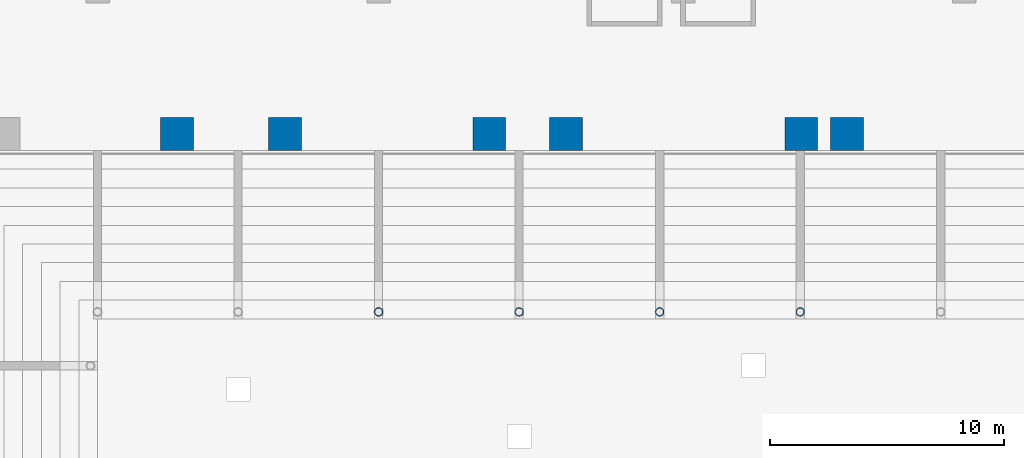
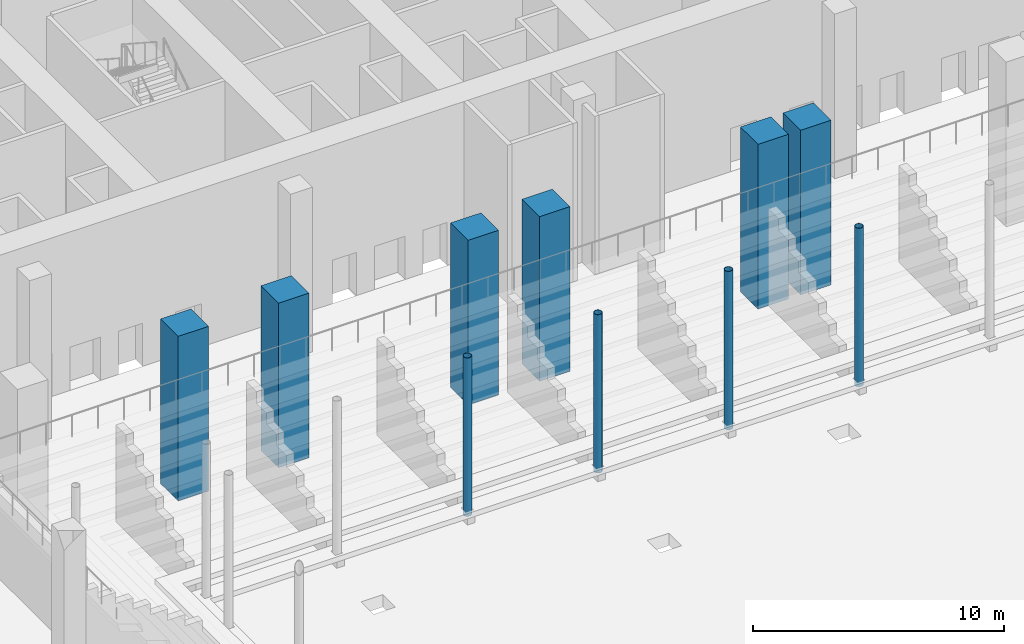
# One storey, part 6 of 41: 10 columns.
"""IFC4 building model written with IfcOpenShell, lengths in metres."""

from ifc_helpers import new_model, si_unit, direction, frame, origin, origin_2d, place, context, subcontext, project, spatial, rectangle, hollow_circle, extrude, material, material_profile, profile_set, type_object, element, save


model = new_model("IFC4")

# Units and contexts
model_context = context("Model", 3, precision=1e-05, world=origin(), true_north=direction((0.0, 1.0)))
body_context = subcontext(model_context, "Body", "Model", "MODEL_VIEW")
ifc_project = project(units=[si_unit("LENGTHUNIT", "METRE"), si_unit("AREAUNIT", "SQUARE_METRE"), si_unit("VOLUMEUNIT", "CUBIC_METRE"), si_unit("PLANEANGLEUNIT", "RADIAN"), si_unit("MASSUNIT", "GRAM", prefix="KILO")], contexts=[model_context])

# Site, building, storey
site_placement = place(None, origin())
site = spatial("IfcSite", under=ifc_project, at=site_placement, CompositionType="ELEMENT")
building_placement = place(site_placement, origin())
building = spatial("IfcBuilding", under=site, at=building_placement, Name="Wharfspan Tower", CompositionType="ELEMENT")
storey_placement = place(building_placement, origin())
storey = spatial("IfcBuildingStorey", under=building, at=storey_placement, Name="L00", CompositionType="ELEMENT", Elevation=0.0)

# Columns
ifc_material_1 = material(Name="Concrete C60/75", Category="concrete")
ifc_material_profile_1 = material_profile(ifc_material_1, rectangle(XDim=1.399902, YDim=1.399902, at=origin_2d()))
ifc_profile_set_1 = profile_set([ifc_material_profile_1], Name="Concrete C60/75")
column_type_1 = type_object("IfcColumnType", Name="Concrete column 1400 square", PredefinedType="COLUMN", material=ifc_profile_set_1)
for number, where, z_axis, x_axis, name in (
    (1, (19.391113, 25.899902, 0.0), (0.0, 0.0, 1.0), (1.0, 0.0, 0.0), "Column RN.2"),
    (2, (24.0, 25.899902, 0.0), (0.0, 0.0, 1.0), (1.0, 0.0, 0.0), "Column RN.3"),
    (3, (32.724121, 25.899902, 0.0), (0.0, 0.0, 1.0), (1.0, 0.0, 0.0), "Column RN.4"),
    (4, (36.0, 25.899902, 0.0), (0.0, 0.0, 1.0), (1.0, 0.0, 0.0), "Column RN.5"),
    (5, (46.041992, 25.899902, 0.0), (0.0, 0.0, 1.0), (1.0, 0.0, 0.0), "Column RN.6"),
    (6, (48.0, 25.899902, 0.0), (0.0, 0.0, 1.0), (1.0, 0.0, 0.0), "Column RN.7"),
):
    element("IfcColumn", number, at=place(storey_placement, frame(where, z_axis=z_axis, x_axis=x_axis)), inside=storey, type_object=column_type_1, Name=name, PredefinedType="COLUMN", context=body_context, shape_type="SweptSolid", body=[
        extrude(rectangle(XDim=1.399902, YDim=1.399902, at=origin_2d()), origin(), (0.0, 0.0, 1.0), 8.0),
    ])
ifc_material_2 = material(Name="Steel S460NH", Category="steel")
ifc_material_profile_2 = material_profile(ifc_material_2, hollow_circle(Radius=0.177734, WallThickness=0.016113, at=origin_2d()))
ifc_profile_set_2 = profile_set([ifc_material_profile_2], Name="Steel S460NH")
column_type_2 = type_object("IfcColumnType", Name="Tier column CHS 356x16", PredefinedType="COLUMN", material=ifc_profile_set_2)
for number, where, z_axis, x_axis, name in (
    (7, (28.0, 18.300049, 0.300049), (0.0, 0.0, 1.0), (1.0, 0.0, 0.0), "Upper tier column"),
    (8, (34.0, 18.300049, 0.300049), (0.0, 0.0, 1.0), (1.0, 0.0, 0.0), "Upper tier column"),
    (9, (40.0, 18.300049, 0.300049), (0.0, 0.0, 1.0), (1.0, 0.0, 0.0), "Upper tier column"),
    (10, (46.0, 18.300049, 0.300049), (0.0, 0.0, 1.0), (1.0, 0.0, 0.0), "Upper tier column"),
):
    element("IfcColumn", number, at=place(storey_placement, frame(where, z_axis=z_axis, x_axis=x_axis)), inside=storey, type_object=column_type_2, Name=name, PredefinedType="COLUMN", context=body_context, shape_type="SweptSolid", body=[
        extrude(hollow_circle(Radius=0.177734, WallThickness=0.016113, at=origin_2d()), origin(), (0.0, 0.0, 1.0), 7.699951),
    ])

save(model, "model.ifc")
